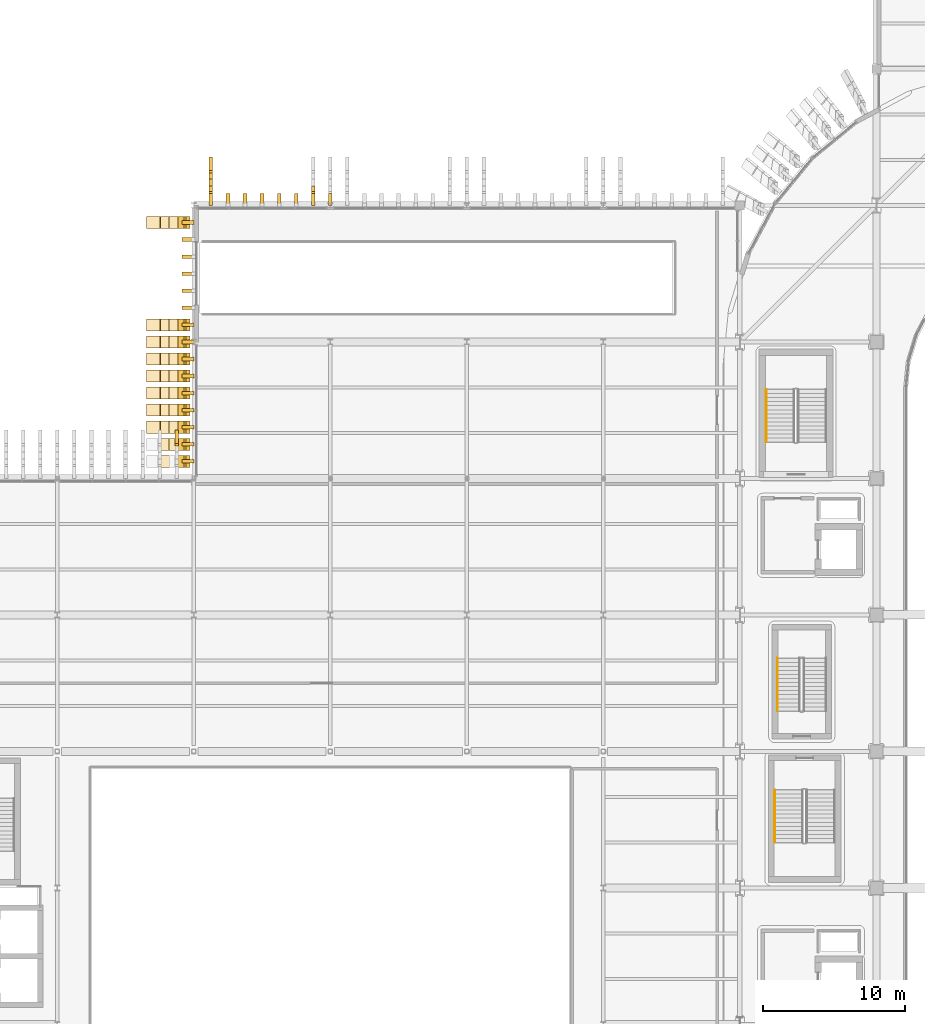
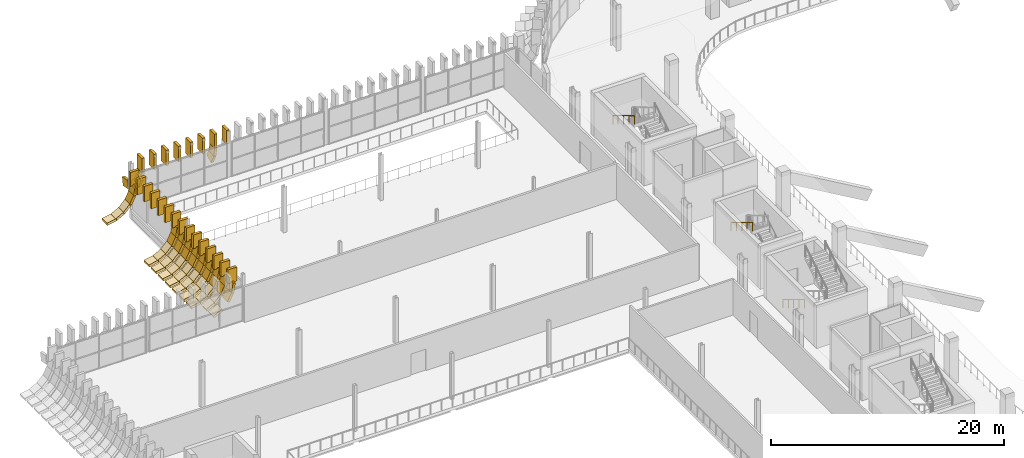
# One storey, part 79 of 100: 78 coverings, 3 railings.
"""IFC4 building model written with IfcOpenShell, lengths in metres."""

from ifc_helpers import new_model, si_unit, direction, frame, origin, origin_2d, place, context, subcontext, project, spatial, rectangle, circle, extrude, material, material_profile, profile_set, type_object, element, save


model = new_model("IFC4")

# Units and contexts
model_context = context("Model", 3, precision=1e-05, world=origin(), true_north=direction((0.0, 1.0)))
body_context = subcontext(model_context, "Body", "Model", "MODEL_VIEW")
ifc_project = project(units=[si_unit("LENGTHUNIT", "METRE"), si_unit("AREAUNIT", "SQUARE_METRE"), si_unit("VOLUMEUNIT", "CUBIC_METRE"), si_unit("PLANEANGLEUNIT", "RADIAN"), si_unit("MASSUNIT", "GRAM", prefix="KILO")], contexts=[model_context])

# Site, building, storey
site_placement = place(None, origin())
site = spatial("IfcSite", under=ifc_project, at=site_placement, CompositionType="ELEMENT")
building_placement = place(site_placement, origin())
building = spatial("IfcBuilding", under=site, at=building_placement, Name="Caelomonte Colonnade Arena", CompositionType="ELEMENT")
storey_placement = place(building_placement, origin())
storey = spatial("IfcBuildingStorey", under=building, at=storey_placement, Name="L00", CompositionType="ELEMENT", Elevation=0.0)

# Coverings
ifc_material_1 = material(Name="Precast travertine cladding", Category="masonry")
ifc_material_profile = material_profile(ifc_material_1, rectangle(XDim=0.260009765625, YDim=0.85009765625, at=origin_2d()), Name="FIN260X850")
ifc_profile_set = profile_set([ifc_material_profile], Name="Precast travertine cladding")
covering_type = type_object("IfcCoveringType", Name="ENV-FN-SKIRT", PredefinedType="CLADDING", material=ifc_profile_set)
covering_1_placement = place(storey_placement, frame((18.0, 88.7705078125, 0.6123046875), z_axis=(0.0, 0.982287485173, -0.187380085582), x_axis=(-1.0, 0.0, 0.0)))
element("IfcCovering", 1, at=covering_1_placement, inside=storey, type_object=covering_type, Name="V5 L00 splayed classical fin skirt chord 5 (127)", PredefinedType="CLADDING", context=body_context, shape_type="SweptSolid", body=[
    extrude(rectangle(XDim=0.260009765625, YDim=0.85009765625, at=origin_2d()), origin(), (0.0, 0.0, 1.0), 0.962890625),
])
for number, where, z_axis, x_axis, name in (
    (2, (28.800048828125, 106.02099609375, 3.360107421875), (0.0, 0.0, 1.0), (1.0, 0.0, 0.0), "V5D L00 upper classical fin stem 27"),
    (3, (27.60009765625, 106.02099609375, 3.360107421875), (0.0, 0.0, 1.0), (1.0, 0.0, 0.0), "V5D L00 upper classical fin stem 28"),
):
    element("IfcCovering", number, at=place(storey_placement, frame(where, z_axis=z_axis, x_axis=x_axis)), inside=storey, type_object=covering_type, Name=name, PredefinedType="CLADDING", context=body_context, shape_type="SweptSolid", body=[
        extrude(rectangle(XDim=0.260009765625, YDim=0.85009765625, at=origin_2d()), origin(), (0.0, 0.0, 1.0), 1.4599609375),
    ])
for number, where, z_axis, x_axis, name in (
    (4, (27.60009765625, 106.01416015625, 3.474609375), (0.0, 0.15283979596, -0.988250978634), (-1.0, 0.0, 0.0), "V5D L00 splayed classical fin skirt chord 1 (28)"),
    (5, (27.60009765625, 106.141357421875, 2.563232421875), (0.0, 0.444692864571, -0.89568312265), (-1.0, 0.0, 0.0), "V5D L00 splayed classical fin skirt chord 2 (28)"),
):
    element("IfcCovering", number, at=place(storey_placement, frame(where, z_axis=z_axis, x_axis=x_axis)), inside=storey, type_object=covering_type, Name=name, PredefinedType="CLADDING", context=body_context, shape_type="SweptSolid", body=[
        extrude(rectangle(XDim=0.260009765625, YDim=0.85009765625, at=origin_2d()), origin(), (0.0, 0.0, 1.0), 1.008056640625),
    ])
for number, where, z_axis, x_axis, name in (
    (6, (26.39990234375, 106.02099609375, 3.199951171875), (0.0, 0.0, 1.0), (1.0, 0.0, 0.0), "V5D L00 over-portal classical fin header 29"),
    (7, (25.199951171875, 106.02099609375, 3.199951171875), (0.0, 0.0, 1.0), (1.0, 0.0, 0.0), "V5D L00 over-portal classical fin header 30"),
    (8, (24.0, 106.02099609375, 3.199951171875), (0.0, 0.0, 1.0), (1.0, 0.0, 0.0), "V5D L00 over-portal classical fin header 31"),
    (9, (22.800048828125, 106.02099609375, 3.199951171875), (0.0, 0.0, 1.0), (1.0, 0.0, 0.0), "V5D L00 over-portal classical fin header 32"),
    (10, (21.60009765625, 106.02099609375, 3.199951171875), (0.0, 0.0, 1.0), (1.0, 0.0, 0.0), "V5D L00 over-portal classical fin header 33"),
):
    element("IfcCovering", number, at=place(storey_placement, frame(where, z_axis=z_axis, x_axis=x_axis)), inside=storey, type_object=covering_type, Name=name, PredefinedType="CLADDING", context=body_context, shape_type="SweptSolid", body=[
        extrude(rectangle(XDim=0.260009765625, YDim=0.85009765625, at=origin_2d()), origin(), (0.0, 0.0, 1.0), 1.6201171875),
    ])
covering_2_placement = place(storey_placement, frame((20.39990234375, 106.02099609375, 3.360107421875), z_axis=(0.0, 0.0, 1.0), x_axis=(1.0, 0.0, 0.0)))
element("IfcCovering", 11, at=covering_2_placement, inside=storey, type_object=covering_type, Name="V5D L00 upper classical fin stem 34", PredefinedType="CLADDING", context=body_context, shape_type="SweptSolid", body=[
    extrude(rectangle(XDim=0.260009765625, YDim=0.85009765625, at=origin_2d()), origin(), (0.0, 0.0, 1.0), 1.4599609375),
])
for number, where, z_axis, x_axis, name in (
    (12, (20.39990234375, 106.01416015625, 3.474609375), (0.0, 0.15283979596, -0.988250978634), (-1.0, 0.0, 0.0), "V5D L00 splayed classical fin skirt chord 1 (34)"),
    (13, (20.39990234375, 106.141357421875, 2.563232421875), (0.0, 0.444692864571, -0.89568312265), (-1.0, 0.0, 0.0), "V5D L00 splayed classical fin skirt chord 2 (34)"),
    (14, (20.39990234375, 106.538330078125, 1.733154296875), (0.0, 0.694646381209, -0.71935137803), (-1.0, 0.0, 0.0), "V5D L00 splayed classical fin skirt chord 3 (34)"),
    (15, (20.39990234375, 107.16748046875, 1.061767578125), (0.0, 0.879731158529, -0.475471438379), (-1.0, 0.0, 0.0), "V5D L00 splayed classical fin skirt chord 4 (34)"),
):
    element("IfcCovering", number, at=place(storey_placement, frame(where, z_axis=z_axis, x_axis=x_axis)), inside=storey, type_object=covering_type, Name=name, PredefinedType="CLADDING", context=body_context, shape_type="SweptSolid", body=[
        extrude(rectangle(XDim=0.260009765625, YDim=0.85009765625, at=origin_2d()), origin(), (0.0, 0.0, 1.0), 1.008056640625),
    ])
covering_3_placement = place(storey_placement, frame((20.39990234375, 107.970458984375, 0.6123046875), z_axis=(0.0, 0.982287485173, -0.187380085582), x_axis=(-1.0, 0.0, 0.0)))
element("IfcCovering", 16, at=covering_3_placement, inside=storey, type_object=covering_type, Name="V5D L00 splayed classical fin skirt chord 5 (34)", PredefinedType="CLADDING", context=body_context, shape_type="SweptSolid", body=[
    extrude(rectangle(XDim=0.260009765625, YDim=0.85009765625, at=origin_2d()), origin(), (0.0, 0.0, 1.0), 0.962890625),
])
covering_4_placement = place(storey_placement, frame((18.779052734375, 104.39990234375, 3.360107421875), z_axis=(0.0, 0.0, 1.0), x_axis=(0.0, 1.0, 0.0)))
element("IfcCovering", 17, at=covering_4_placement, inside=storey, type_object=covering_type, Name="V5D L00 upper classical fin stem 35", PredefinedType="CLADDING", context=body_context, shape_type="SweptSolid", body=[
    extrude(rectangle(XDim=0.260009765625, YDim=0.85009765625, at=origin_2d()), origin(), (0.0, 0.0, 1.0), 1.4599609375),
])
for number, where, z_axis, x_axis, name in (
    (18, (18.785888671875, 104.39990234375, 3.474609375), (-0.153076342973, 0.0, -0.988214366027), (-0.988214366027, 0.0, 0.153076342973), "V5D L00 splayed classical fin skirt chord 1 (35)"),
    (19, (18.65869140625, 104.39990234375, 2.563232421875), (-0.444692864571, 0.0, -0.89568312265), (-0.89568312265, 0.0, 0.444692864571), "V5D L00 splayed classical fin skirt chord 2 (35)"),
    (20, (18.26171875, 104.39990234375, 1.733154296875), (-0.694646381209, 0.0, -0.71935137803), (-0.71935137803, 0.0, 0.694646381209), "V5D L00 splayed classical fin skirt chord 3 (35)"),
):
    element("IfcCovering", number, at=place(storey_placement, frame(where, z_axis=z_axis, x_axis=x_axis)), inside=storey, type_object=covering_type, Name=name, PredefinedType="CLADDING", context=body_context, shape_type="SweptSolid", body=[
        extrude(rectangle(XDim=0.260009765625, YDim=0.85009765625, at=origin_2d()), origin(), (0.0, 0.0, 1.0), 1.008056640625),
    ])
covering_5_placement = place(storey_placement, frame((17.63232421875, 104.39990234375, 1.061767578125), z_axis=(-0.879676382338, 0.0, -0.475572772935), x_axis=(-0.475572772935, 0.0, 0.879676382338)))
element("IfcCovering", 21, at=covering_5_placement, inside=storey, type_object=covering_type, Name="V5D L00 splayed classical fin skirt chord 4 (35)", PredefinedType="CLADDING", context=body_context, shape_type="SweptSolid", body=[
    extrude(rectangle(XDim=0.260009765625, YDim=0.85009765625, at=origin_2d()), origin(), (0.0, 0.0, 1.0), 1.0078125),
])
covering_6_placement = place(storey_placement, frame((16.82958984375, 104.39990234375, 0.6123046875), z_axis=(-0.982287485173, 0.0, -0.187380085582), x_axis=(-0.187380085582, 0.0, 0.982287485173)))
element("IfcCovering", 22, at=covering_6_placement, inside=storey, type_object=covering_type, Name="V5D L00 splayed classical fin skirt chord 5 (35)", PredefinedType="CLADDING", context=body_context, shape_type="SweptSolid", body=[
    extrude(rectangle(XDim=0.260009765625, YDim=0.85009765625, at=origin_2d()), origin(), (0.0, 0.0, 1.0), 0.962890625),
])
for number, where, z_axis, x_axis, name in (
    (23, (18.779052734375, 103.199951171875, 3.199951171875), (0.0, 0.0, 1.0), (0.0, 1.0, 0.0), "V5D L00 over-portal classical fin header 36"),
    (24, (18.779052734375, 102.0, 3.199951171875), (0.0, 0.0, 1.0), (0.0, 1.0, 0.0), "V5D L00 over-portal classical fin header 37"),
    (25, (18.779052734375, 100.800048828125, 3.199951171875), (0.0, 0.0, 1.0), (0.0, 1.0, 0.0), "V5D L00 over-portal classical fin header 38"),
    (26, (18.779052734375, 99.60009765625, 3.199951171875), (0.0, 0.0, 1.0), (0.0, 1.0, 0.0), "V5D L00 over-portal classical fin header 39"),
    (27, (18.779052734375, 98.39990234375, 3.199951171875), (0.0, 0.0, 1.0), (0.0, 1.0, 0.0), "V5D L00 over-portal classical fin header 40"),
):
    element("IfcCovering", number, at=place(storey_placement, frame(where, z_axis=z_axis, x_axis=x_axis)), inside=storey, type_object=covering_type, Name=name, PredefinedType="CLADDING", context=body_context, shape_type="SweptSolid", body=[
        extrude(rectangle(XDim=0.260009765625, YDim=0.85009765625, at=origin_2d()), origin(), (0.0, 0.0, 1.0), 1.6201171875),
    ])
covering_7_placement = place(storey_placement, frame((18.779052734375, 97.199951171875, 3.360107421875), z_axis=(0.0, 0.0, 1.0), x_axis=(0.0, 1.0, 0.0)))
element("IfcCovering", 28, at=covering_7_placement, inside=storey, type_object=covering_type, Name="V5D L00 upper classical fin stem 41", PredefinedType="CLADDING", context=body_context, shape_type="SweptSolid", body=[
    extrude(rectangle(XDim=0.260009765625, YDim=0.85009765625, at=origin_2d()), origin(), (0.0, 0.0, 1.0), 1.4599609375),
])
for number, where, z_axis, x_axis, name in (
    (29, (18.785888671875, 97.199951171875, 3.474609375), (-0.153076342973, 0.0, -0.988214366027), (-0.988214366027, 0.0, 0.153076342973), "V5D L00 splayed classical fin skirt chord 1 (41)"),
    (30, (18.65869140625, 97.199951171875, 2.563232421875), (-0.444692864571, 0.0, -0.89568312265), (-0.89568312265, 0.0, 0.444692864571), "V5D L00 splayed classical fin skirt chord 2 (41)"),
    (31, (18.26171875, 97.199951171875, 1.733154296875), (-0.694646381209, 0.0, -0.71935137803), (-0.71935137803, 0.0, 0.694646381209), "V5D L00 splayed classical fin skirt chord 3 (41)"),
):
    element("IfcCovering", number, at=place(storey_placement, frame(where, z_axis=z_axis, x_axis=x_axis)), inside=storey, type_object=covering_type, Name=name, PredefinedType="CLADDING", context=body_context, shape_type="SweptSolid", body=[
        extrude(rectangle(XDim=0.260009765625, YDim=0.85009765625, at=origin_2d()), origin(), (0.0, 0.0, 1.0), 1.008056640625),
    ])
covering_8_placement = place(storey_placement, frame((17.63232421875, 97.199951171875, 1.061767578125), z_axis=(-0.879676382338, 0.0, -0.475572772935), x_axis=(-0.475572772935, 0.0, 0.879676382338)))
element("IfcCovering", 32, at=covering_8_placement, inside=storey, type_object=covering_type, Name="V5D L00 splayed classical fin skirt chord 4 (41)", PredefinedType="CLADDING", context=body_context, shape_type="SweptSolid", body=[
    extrude(rectangle(XDim=0.260009765625, YDim=0.85009765625, at=origin_2d()), origin(), (0.0, 0.0, 1.0), 1.0078125),
])
covering_9_placement = place(storey_placement, frame((16.82958984375, 97.199951171875, 0.6123046875), z_axis=(-0.982287485173, 0.0, -0.187380085582), x_axis=(-0.187380085582, 0.0, 0.982287485173)))
element("IfcCovering", 33, at=covering_9_placement, inside=storey, type_object=covering_type, Name="V5D L00 splayed classical fin skirt chord 5 (41)", PredefinedType="CLADDING", context=body_context, shape_type="SweptSolid", body=[
    extrude(rectangle(XDim=0.260009765625, YDim=0.85009765625, at=origin_2d()), origin(), (0.0, 0.0, 1.0), 0.962890625),
])
covering_10_placement = place(storey_placement, frame((18.779052734375, 96.0, 3.360107421875), z_axis=(0.0, 0.0, 1.0), x_axis=(0.0, 1.0, 0.0)))
element("IfcCovering", 34, at=covering_10_placement, inside=storey, type_object=covering_type, Name="V5D L00 upper classical fin stem 42", PredefinedType="CLADDING", context=body_context, shape_type="SweptSolid", body=[
    extrude(rectangle(XDim=0.260009765625, YDim=0.85009765625, at=origin_2d()), origin(), (0.0, 0.0, 1.0), 1.4599609375),
])
for number, where, z_axis, x_axis, name in (
    (35, (18.785888671875, 96.0, 3.474609375), (-0.153076342973, 0.0, -0.988214366027), (-0.988214366027, 0.0, 0.153076342973), "V5D L00 splayed classical fin skirt chord 1 (42)"),
    (36, (18.65869140625, 96.0, 2.563232421875), (-0.444692864571, 0.0, -0.89568312265), (-0.89568312265, 0.0, 0.444692864571), "V5D L00 splayed classical fin skirt chord 2 (42)"),
    (37, (18.26171875, 96.0, 1.733154296875), (-0.694646381209, 0.0, -0.71935137803), (-0.71935137803, 0.0, 0.694646381209), "V5D L00 splayed classical fin skirt chord 3 (42)"),
):
    element("IfcCovering", number, at=place(storey_placement, frame(where, z_axis=z_axis, x_axis=x_axis)), inside=storey, type_object=covering_type, Name=name, PredefinedType="CLADDING", context=body_context, shape_type="SweptSolid", body=[
        extrude(rectangle(XDim=0.260009765625, YDim=0.85009765625, at=origin_2d()), origin(), (0.0, 0.0, 1.0), 1.008056640625),
    ])
covering_11_placement = place(storey_placement, frame((17.63232421875, 96.0, 1.061767578125), z_axis=(-0.879676382338, 0.0, -0.475572772935), x_axis=(-0.475572772935, 0.0, 0.879676382338)))
element("IfcCovering", 38, at=covering_11_placement, inside=storey, type_object=covering_type, Name="V5D L00 splayed classical fin skirt chord 4 (42)", PredefinedType="CLADDING", context=body_context, shape_type="SweptSolid", body=[
    extrude(rectangle(XDim=0.260009765625, YDim=0.85009765625, at=origin_2d()), origin(), (0.0, 0.0, 1.0), 1.0078125),
])
covering_12_placement = place(storey_placement, frame((16.82958984375, 96.0, 0.6123046875), z_axis=(-0.982287485173, 0.0, -0.187380085582), x_axis=(-0.187380085582, 0.0, 0.982287485173)))
element("IfcCovering", 39, at=covering_12_placement, inside=storey, type_object=covering_type, Name="V5D L00 splayed classical fin skirt chord 5 (42)", PredefinedType="CLADDING", context=body_context, shape_type="SweptSolid", body=[
    extrude(rectangle(XDim=0.260009765625, YDim=0.85009765625, at=origin_2d()), origin(), (0.0, 0.0, 1.0), 0.962890625),
])
covering_13_placement = place(storey_placement, frame((18.779052734375, 94.800048828125, 3.360107421875), z_axis=(0.0, 0.0, 1.0), x_axis=(0.0, 1.0, 0.0)))
element("IfcCovering", 40, at=covering_13_placement, inside=storey, type_object=covering_type, Name="V5D L00 upper classical fin stem 43", PredefinedType="CLADDING", context=body_context, shape_type="SweptSolid", body=[
    extrude(rectangle(XDim=0.260009765625, YDim=0.85009765625, at=origin_2d()), origin(), (0.0, 0.0, 1.0), 1.4599609375),
])
for number, where, z_axis, x_axis, name in (
    (41, (18.785888671875, 94.800048828125, 3.474609375), (-0.153076342973, 0.0, -0.988214366027), (-0.988214366027, 0.0, 0.153076342973), "V5D L00 splayed classical fin skirt chord 1 (43)"),
    (42, (18.65869140625, 94.800048828125, 2.563232421875), (-0.444692864571, 0.0, -0.89568312265), (-0.89568312265, 0.0, 0.444692864571), "V5D L00 splayed classical fin skirt chord 2 (43)"),
    (43, (18.26171875, 94.800048828125, 1.733154296875), (-0.694646381209, 0.0, -0.71935137803), (-0.71935137803, 0.0, 0.694646381209), "V5D L00 splayed classical fin skirt chord 3 (43)"),
):
    element("IfcCovering", number, at=place(storey_placement, frame(where, z_axis=z_axis, x_axis=x_axis)), inside=storey, type_object=covering_type, Name=name, PredefinedType="CLADDING", context=body_context, shape_type="SweptSolid", body=[
        extrude(rectangle(XDim=0.260009765625, YDim=0.85009765625, at=origin_2d()), origin(), (0.0, 0.0, 1.0), 1.008056640625),
    ])
covering_14_placement = place(storey_placement, frame((17.63232421875, 94.800048828125, 1.061767578125), z_axis=(-0.879676382338, 0.0, -0.475572772935), x_axis=(-0.475572772935, 0.0, 0.879676382338)))
element("IfcCovering", 44, at=covering_14_placement, inside=storey, type_object=covering_type, Name="V5D L00 splayed classical fin skirt chord 4 (43)", PredefinedType="CLADDING", context=body_context, shape_type="SweptSolid", body=[
    extrude(rectangle(XDim=0.260009765625, YDim=0.85009765625, at=origin_2d()), origin(), (0.0, 0.0, 1.0), 1.0078125),
])
covering_15_placement = place(storey_placement, frame((16.82958984375, 94.800048828125, 0.6123046875), z_axis=(-0.982287485173, 0.0, -0.187380085582), x_axis=(-0.187380085582, 0.0, 0.982287485173)))
element("IfcCovering", 45, at=covering_15_placement, inside=storey, type_object=covering_type, Name="V5D L00 splayed classical fin skirt chord 5 (43)", PredefinedType="CLADDING", context=body_context, shape_type="SweptSolid", body=[
    extrude(rectangle(XDim=0.260009765625, YDim=0.85009765625, at=origin_2d()), origin(), (0.0, 0.0, 1.0), 0.962890625),
])
covering_16_placement = place(storey_placement, frame((18.779052734375, 93.60009765625, 3.360107421875), z_axis=(0.0, 0.0, 1.0), x_axis=(0.0, 1.0, 0.0)))
element("IfcCovering", 46, at=covering_16_placement, inside=storey, type_object=covering_type, Name="V5D L00 upper classical fin stem 44", PredefinedType="CLADDING", context=body_context, shape_type="SweptSolid", body=[
    extrude(rectangle(XDim=0.260009765625, YDim=0.85009765625, at=origin_2d()), origin(), (0.0, 0.0, 1.0), 1.4599609375),
])
for number, where, z_axis, x_axis, name in (
    (47, (18.785888671875, 93.60009765625, 3.474609375), (-0.153076342973, 0.0, -0.988214366027), (-0.988214366027, 0.0, 0.153076342973), "V5D L00 splayed classical fin skirt chord 1 (44)"),
    (48, (18.65869140625, 93.60009765625, 2.563232421875), (-0.444692864571, 0.0, -0.89568312265), (-0.89568312265, 0.0, 0.444692864571), "V5D L00 splayed classical fin skirt chord 2 (44)"),
    (49, (18.26171875, 93.60009765625, 1.733154296875), (-0.694646381209, 0.0, -0.71935137803), (-0.71935137803, 0.0, 0.694646381209), "V5D L00 splayed classical fin skirt chord 3 (44)"),
):
    element("IfcCovering", number, at=place(storey_placement, frame(where, z_axis=z_axis, x_axis=x_axis)), inside=storey, type_object=covering_type, Name=name, PredefinedType="CLADDING", context=body_context, shape_type="SweptSolid", body=[
        extrude(rectangle(XDim=0.260009765625, YDim=0.85009765625, at=origin_2d()), origin(), (0.0, 0.0, 1.0), 1.008056640625),
    ])
covering_17_placement = place(storey_placement, frame((17.63232421875, 93.60009765625, 1.061767578125), z_axis=(-0.879676382338, 0.0, -0.475572772935), x_axis=(-0.475572772935, 0.0, 0.879676382338)))
element("IfcCovering", 50, at=covering_17_placement, inside=storey, type_object=covering_type, Name="V5D L00 splayed classical fin skirt chord 4 (44)", PredefinedType="CLADDING", context=body_context, shape_type="SweptSolid", body=[
    extrude(rectangle(XDim=0.260009765625, YDim=0.85009765625, at=origin_2d()), origin(), (0.0, 0.0, 1.0), 1.0078125),
])
covering_18_placement = place(storey_placement, frame((16.82958984375, 93.60009765625, 0.6123046875), z_axis=(-0.982287485173, 0.0, -0.187380085582), x_axis=(-0.187380085582, 0.0, 0.982287485173)))
element("IfcCovering", 51, at=covering_18_placement, inside=storey, type_object=covering_type, Name="V5D L00 splayed classical fin skirt chord 5 (44)", PredefinedType="CLADDING", context=body_context, shape_type="SweptSolid", body=[
    extrude(rectangle(XDim=0.260009765625, YDim=0.85009765625, at=origin_2d()), origin(), (0.0, 0.0, 1.0), 0.962890625),
])
covering_19_placement = place(storey_placement, frame((18.779052734375, 92.39990234375, 3.360107421875), z_axis=(0.0, 0.0, 1.0), x_axis=(0.0, 1.0, 0.0)))
element("IfcCovering", 52, at=covering_19_placement, inside=storey, type_object=covering_type, Name="V5D L00 upper classical fin stem 45", PredefinedType="CLADDING", context=body_context, shape_type="SweptSolid", body=[
    extrude(rectangle(XDim=0.260009765625, YDim=0.85009765625, at=origin_2d()), origin(), (0.0, 0.0, 1.0), 1.4599609375),
])
for number, where, z_axis, x_axis, name in (
    (53, (18.785888671875, 92.39990234375, 3.474609375), (-0.153076342973, 0.0, -0.988214366027), (-0.988214366027, 0.0, 0.153076342973), "V5D L00 splayed classical fin skirt chord 1 (45)"),
    (54, (18.65869140625, 92.39990234375, 2.563232421875), (-0.444692864571, 0.0, -0.89568312265), (-0.89568312265, 0.0, 0.444692864571), "V5D L00 splayed classical fin skirt chord 2 (45)"),
    (55, (18.26171875, 92.39990234375, 1.733154296875), (-0.694646381209, 0.0, -0.71935137803), (-0.71935137803, 0.0, 0.694646381209), "V5D L00 splayed classical fin skirt chord 3 (45)"),
):
    element("IfcCovering", number, at=place(storey_placement, frame(where, z_axis=z_axis, x_axis=x_axis)), inside=storey, type_object=covering_type, Name=name, PredefinedType="CLADDING", context=body_context, shape_type="SweptSolid", body=[
        extrude(rectangle(XDim=0.260009765625, YDim=0.85009765625, at=origin_2d()), origin(), (0.0, 0.0, 1.0), 1.008056640625),
    ])
covering_20_placement = place(storey_placement, frame((17.63232421875, 92.39990234375, 1.061767578125), z_axis=(-0.879676382338, 0.0, -0.475572772935), x_axis=(-0.475572772935, 0.0, 0.879676382338)))
element("IfcCovering", 56, at=covering_20_placement, inside=storey, type_object=covering_type, Name="V5D L00 splayed classical fin skirt chord 4 (45)", PredefinedType="CLADDING", context=body_context, shape_type="SweptSolid", body=[
    extrude(rectangle(XDim=0.260009765625, YDim=0.85009765625, at=origin_2d()), origin(), (0.0, 0.0, 1.0), 1.0078125),
])
covering_21_placement = place(storey_placement, frame((16.82958984375, 92.39990234375, 0.6123046875), z_axis=(-0.982287485173, 0.0, -0.187380085582), x_axis=(-0.187380085582, 0.0, 0.982287485173)))
element("IfcCovering", 57, at=covering_21_placement, inside=storey, type_object=covering_type, Name="V5D L00 splayed classical fin skirt chord 5 (45)", PredefinedType="CLADDING", context=body_context, shape_type="SweptSolid", body=[
    extrude(rectangle(XDim=0.260009765625, YDim=0.85009765625, at=origin_2d()), origin(), (0.0, 0.0, 1.0), 0.962890625),
])
covering_22_placement = place(storey_placement, frame((18.779052734375, 91.199951171875, 3.360107421875), z_axis=(0.0, 0.0, 1.0), x_axis=(0.0, 1.0, 0.0)))
element("IfcCovering", 58, at=covering_22_placement, inside=storey, type_object=covering_type, Name="V5D L00 upper classical fin stem 46", PredefinedType="CLADDING", context=body_context, shape_type="SweptSolid", body=[
    extrude(rectangle(XDim=0.260009765625, YDim=0.85009765625, at=origin_2d()), origin(), (0.0, 0.0, 1.0), 1.4599609375),
])
for number, where, z_axis, x_axis, name in (
    (59, (18.785888671875, 91.199951171875, 3.474609375), (-0.153076342973, 0.0, -0.988214366027), (-0.988214366027, 0.0, 0.153076342973), "V5D L00 splayed classical fin skirt chord 1 (46)"),
    (60, (18.65869140625, 91.199951171875, 2.563232421875), (-0.444692864571, 0.0, -0.89568312265), (-0.89568312265, 0.0, 0.444692864571), "V5D L00 splayed classical fin skirt chord 2 (46)"),
    (61, (18.26171875, 91.199951171875, 1.733154296875), (-0.694646381209, 0.0, -0.71935137803), (-0.71935137803, 0.0, 0.694646381209), "V5D L00 splayed classical fin skirt chord 3 (46)"),
):
    element("IfcCovering", number, at=place(storey_placement, frame(where, z_axis=z_axis, x_axis=x_axis)), inside=storey, type_object=covering_type, Name=name, PredefinedType="CLADDING", context=body_context, shape_type="SweptSolid", body=[
        extrude(rectangle(XDim=0.260009765625, YDim=0.85009765625, at=origin_2d()), origin(), (0.0, 0.0, 1.0), 1.008056640625),
    ])
covering_23_placement = place(storey_placement, frame((17.63232421875, 91.199951171875, 1.061767578125), z_axis=(-0.879676382338, 0.0, -0.475572772935), x_axis=(-0.475572772935, 0.0, 0.879676382338)))
element("IfcCovering", 62, at=covering_23_placement, inside=storey, type_object=covering_type, Name="V5D L00 splayed classical fin skirt chord 4 (46)", PredefinedType="CLADDING", context=body_context, shape_type="SweptSolid", body=[
    extrude(rectangle(XDim=0.260009765625, YDim=0.85009765625, at=origin_2d()), origin(), (0.0, 0.0, 1.0), 1.0078125),
])
covering_24_placement = place(storey_placement, frame((16.82958984375, 91.199951171875, 0.6123046875), z_axis=(-0.982287485173, 0.0, -0.187380085582), x_axis=(-0.187380085582, 0.0, 0.982287485173)))
element("IfcCovering", 63, at=covering_24_placement, inside=storey, type_object=covering_type, Name="V5D L00 splayed classical fin skirt chord 5 (46)", PredefinedType="CLADDING", context=body_context, shape_type="SweptSolid", body=[
    extrude(rectangle(XDim=0.260009765625, YDim=0.85009765625, at=origin_2d()), origin(), (0.0, 0.0, 1.0), 0.962890625),
])
covering_25_placement = place(storey_placement, frame((18.779052734375, 90.0, 3.360107421875), z_axis=(0.0, 0.0, 1.0), x_axis=(0.0, 1.0, 0.0)))
element("IfcCovering", 64, at=covering_25_placement, inside=storey, type_object=covering_type, Name="V5D L00 upper classical fin stem 47", PredefinedType="CLADDING", context=body_context, shape_type="SweptSolid", body=[
    extrude(rectangle(XDim=0.260009765625, YDim=0.85009765625, at=origin_2d()), origin(), (0.0, 0.0, 1.0), 1.4599609375),
])
for number, where, z_axis, x_axis, name in (
    (65, (18.785888671875, 90.0, 3.474609375), (-0.153076342973, 0.0, -0.988214366027), (-0.988214366027, 0.0, 0.153076342973), "V5D L00 splayed classical fin skirt chord 1 (47)"),
    (66, (18.65869140625, 90.0, 2.563232421875), (-0.444692864571, 0.0, -0.89568312265), (-0.89568312265, 0.0, 0.444692864571), "V5D L00 splayed classical fin skirt chord 2 (47)"),
    (67, (18.26171875, 90.0, 1.733154296875), (-0.694646381209, 0.0, -0.71935137803), (-0.71935137803, 0.0, 0.694646381209), "V5D L00 splayed classical fin skirt chord 3 (47)"),
):
    element("IfcCovering", number, at=place(storey_placement, frame(where, z_axis=z_axis, x_axis=x_axis)), inside=storey, type_object=covering_type, Name=name, PredefinedType="CLADDING", context=body_context, shape_type="SweptSolid", body=[
        extrude(rectangle(XDim=0.260009765625, YDim=0.85009765625, at=origin_2d()), origin(), (0.0, 0.0, 1.0), 1.008056640625),
    ])
covering_26_placement = place(storey_placement, frame((17.63232421875, 90.0, 1.061767578125), z_axis=(-0.879676382338, 0.0, -0.475572772935), x_axis=(-0.475572772935, 0.0, 0.879676382338)))
element("IfcCovering", 68, at=covering_26_placement, inside=storey, type_object=covering_type, Name="V5D L00 splayed classical fin skirt chord 4 (47)", PredefinedType="CLADDING", context=body_context, shape_type="SweptSolid", body=[
    extrude(rectangle(XDim=0.260009765625, YDim=0.85009765625, at=origin_2d()), origin(), (0.0, 0.0, 1.0), 1.0078125),
])
covering_27_placement = place(storey_placement, frame((16.82958984375, 90.0, 0.6123046875), z_axis=(-0.982287485173, 0.0, -0.187380085582), x_axis=(-0.187380085582, 0.0, 0.982287485173)))
element("IfcCovering", 69, at=covering_27_placement, inside=storey, type_object=covering_type, Name="V5D L00 splayed classical fin skirt chord 5 (47)", PredefinedType="CLADDING", context=body_context, shape_type="SweptSolid", body=[
    extrude(rectangle(XDim=0.260009765625, YDim=0.85009765625, at=origin_2d()), origin(), (0.0, 0.0, 1.0), 0.962890625),
])
covering_28_placement = place(storey_placement, frame((18.779052734375, 88.800048828125, 3.360107421875), z_axis=(0.0, 0.0, 1.0), x_axis=(0.0, 1.0, 0.0)))
element("IfcCovering", 70, at=covering_28_placement, inside=storey, type_object=covering_type, Name="V5D L00 upper classical fin stem 48", PredefinedType="CLADDING", context=body_context, shape_type="SweptSolid", body=[
    extrude(rectangle(XDim=0.260009765625, YDim=0.85009765625, at=origin_2d()), origin(), (0.0, 0.0, 1.0), 1.4599609375),
])
for number, where, z_axis, x_axis, name in (
    (71, (18.785888671875, 88.800048828125, 3.474609375), (-0.153076342973, 0.0, -0.988214366027), (-0.988214366027, 0.0, 0.153076342973), "V5D L00 splayed classical fin skirt chord 1 (48)"),
    (72, (18.65869140625, 88.800048828125, 2.563232421875), (-0.444692864571, 0.0, -0.89568312265), (-0.89568312265, 0.0, 0.444692864571), "V5D L00 splayed classical fin skirt chord 2 (48)"),
    (73, (18.26171875, 88.800048828125, 1.733154296875), (-0.694646381209, 0.0, -0.71935137803), (-0.71935137803, 0.0, 0.694646381209), "V5D L00 splayed classical fin skirt chord 3 (48)"),
):
    element("IfcCovering", number, at=place(storey_placement, frame(where, z_axis=z_axis, x_axis=x_axis)), inside=storey, type_object=covering_type, Name=name, PredefinedType="CLADDING", context=body_context, shape_type="SweptSolid", body=[
        extrude(rectangle(XDim=0.260009765625, YDim=0.85009765625, at=origin_2d()), origin(), (0.0, 0.0, 1.0), 1.008056640625),
    ])
covering_29_placement = place(storey_placement, frame((17.63232421875, 88.800048828125, 1.061767578125), z_axis=(-0.879676382338, 0.0, -0.475572772935), x_axis=(-0.475572772935, 0.0, 0.879676382338)))
element("IfcCovering", 74, at=covering_29_placement, inside=storey, type_object=covering_type, Name="V5D L00 splayed classical fin skirt chord 4 (48)", PredefinedType="CLADDING", context=body_context, shape_type="SweptSolid", body=[
    extrude(rectangle(XDim=0.260009765625, YDim=0.85009765625, at=origin_2d()), origin(), (0.0, 0.0, 1.0), 1.0078125),
])
covering_30_placement = place(storey_placement, frame((18.779052734375, 87.60009765625, 3.360107421875), z_axis=(0.0, 0.0, 1.0), x_axis=(0.0, 1.0, 0.0)))
element("IfcCovering", 75, at=covering_30_placement, inside=storey, type_object=covering_type, Name="V5D L00 upper classical fin stem 49", PredefinedType="CLADDING", context=body_context, shape_type="SweptSolid", body=[
    extrude(rectangle(XDim=0.260009765625, YDim=0.85009765625, at=origin_2d()), origin(), (0.0, 0.0, 1.0), 1.4599609375),
])
for number, where, z_axis, x_axis, name in (
    (76, (18.785888671875, 87.60009765625, 3.474609375), (-0.153076342973, 0.0, -0.988214366027), (-0.988214366027, 0.0, 0.153076342973), "V5D L00 splayed classical fin skirt chord 1 (49)"),
    (77, (18.65869140625, 87.60009765625, 2.563232421875), (-0.444692864571, 0.0, -0.89568312265), (-0.89568312265, 0.0, 0.444692864571), "V5D L00 splayed classical fin skirt chord 2 (49)"),
):
    element("IfcCovering", number, at=place(storey_placement, frame(where, z_axis=z_axis, x_axis=x_axis)), inside=storey, type_object=covering_type, Name=name, PredefinedType="CLADDING", context=body_context, shape_type="SweptSolid", body=[
        extrude(rectangle(XDim=0.260009765625, YDim=0.85009765625, at=origin_2d()), origin(), (0.0, 0.0, 1.0), 1.008056640625),
    ])
covering_31_placement = place(storey_placement, frame((17.63232421875, 87.60009765625, 1.061767578125), z_axis=(-0.879676382338, 0.0, -0.475572772935), x_axis=(-0.475572772935, 0.0, 0.879676382338)))
element("IfcCovering", 78, at=covering_31_placement, inside=storey, type_object=covering_type, Name="V5D L00 splayed classical fin skirt chord 4 (49)", PredefinedType="CLADDING", context=body_context, shape_type="SweptSolid", body=[
    extrude(rectangle(XDim=0.260009765625, YDim=0.85009765625, at=origin_2d()), origin(), (0.0, 0.0, 1.0), 1.0078125),
])

# Railings
ifc_material_2 = material(Name="Brushed stainless steel stair handrail", Category="steel")
railing_type = type_object("IfcRailingType", Name="INT-RL-HR", PredefinedType="HANDRAIL", material=ifc_material_2)
for number, where, name in (
    (79, (59.449951171875, 92.655029296875, 2.571533203125), "L00 ST-04 stair handrail 2"),
    (80, (60.050048828125, 64.5, 0.17138671875), "L00 ST-09 stair handrail 1"),
):
    element("IfcRailing", number, at=place(storey_placement, frame(where)), inside=storey, type_object=railing_type, Name=name, PredefinedType="HANDRAIL", context=body_context, shape_type="SweptSolid", body=[
        extrude(circle(Radius=0.02392578125, at=origin_2d()), frame((0.0, 0.0, 0.8759765625), z_axis=(0.0, -0.856934400257, 0.515425487977), x_axis=(1.0, 0.0, 0.0)), (0.0, 0.0, 1.0), 4.32373046875),
        extrude(circle(Radius=0.02099609375, at=origin_2d()), origin(), (0.0, 0.0, 1.0), 0.847900390625),
        extrude(circle(Radius=0.02099609375, at=origin_2d()), frame((0.0, -0.92626953125, 0.55712890625)), (0.0, 0.0, 1.0), 0.847900390625),
        extrude(circle(Radius=0.02099609375, at=origin_2d()), frame((0.0, -1.8525390625, 1.1142578125)), (0.0, 0.0, 1.0), 0.847900390625),
        extrude(circle(Radius=0.02099609375, at=origin_2d()), frame((0.0, -2.77880859375, 1.67138671875)), (0.0, 0.0, 1.0), 0.847900390625),
        extrude(circle(Radius=0.02099609375, at=origin_2d()), frame((0.0, -3.705078125, 2.228515625)), (0.0, 0.0, 1.0), 0.847900390625),
    ])
railing_placement = place(storey_placement, frame((60.25, 73.7548828125, 2.571533203125)))
element("IfcRailing", 81, at=railing_placement, inside=storey, type_object=railing_type, Name="L00 ST-V07 stair handrail 2", PredefinedType="HANDRAIL", context=body_context, shape_type="SweptSolid", body=[
    extrude(circle(Radius=0.02392578125, at=origin_2d()), frame((0.0, 0.0, 0.8759765625), z_axis=(0.0, -0.856919398105, 0.515450429384), x_axis=(1.0, 0.0, 0.0)), (0.0, 0.0, 1.0), 4.323486328125),
    extrude(circle(Radius=0.02099609375, at=origin_2d()), origin(), (0.0, 0.0, 1.0), 0.847900390625),
    extrude(circle(Radius=0.02099609375, at=origin_2d()), frame((0.0, -0.92626953125, 0.55712890625)), (0.0, 0.0, 1.0), 0.847900390625),
    extrude(circle(Radius=0.02099609375, at=origin_2d()), frame((0.0, -1.8525390625, 1.1142578125)), (0.0, 0.0, 1.0), 0.847900390625),
    extrude(circle(Radius=0.02099609375, at=origin_2d()), frame((0.0, -2.778564453125, 1.67138671875)), (0.0, 0.0, 1.0), 0.847900390625),
    extrude(circle(Radius=0.02099609375, at=origin_2d()), frame((0.0, -3.704833984375, 2.228515625)), (0.0, 0.0, 1.0), 0.847900390625),
])

save(model, "model.ifc")
